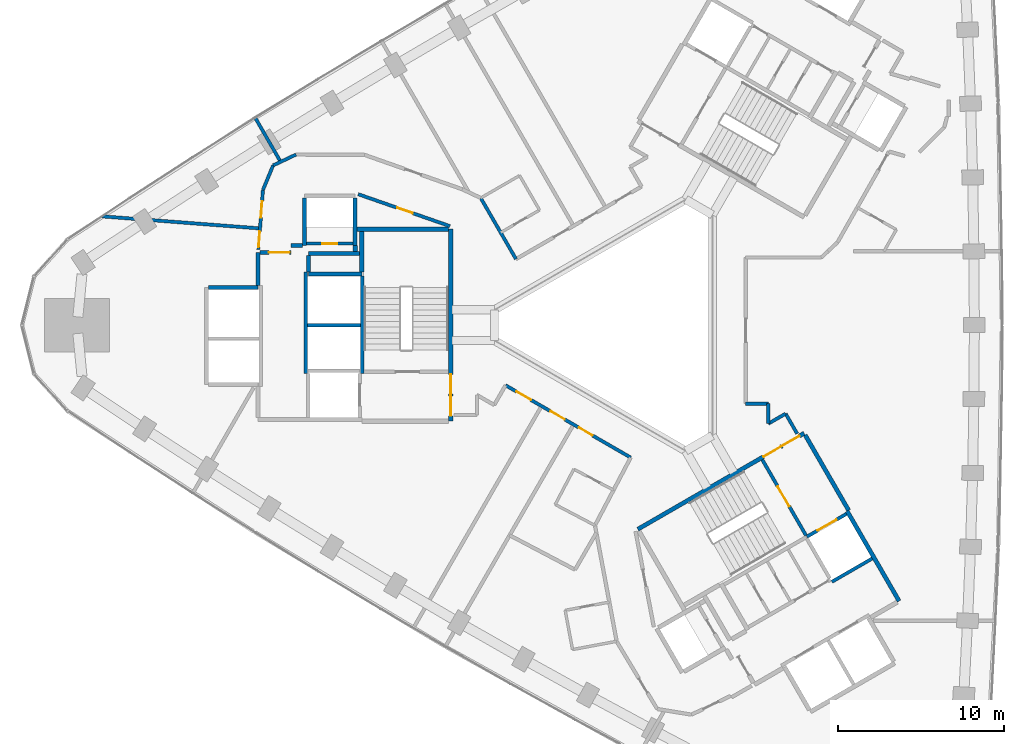
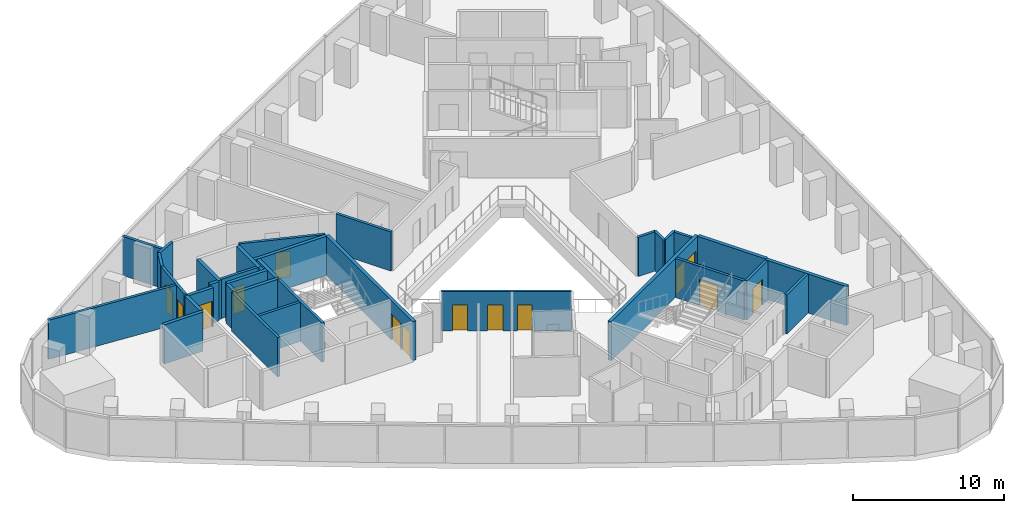
# One storey, part 9 of 12: 35 walls, 14 doors, 14 openings.
"""IFC4 building model written with IfcOpenShell, lengths in metres."""

from ifc_helpers import new_model, si_unit, direction, frame, frame_2d, origin, place, context, subcontext, project, spatial, rectangle, extrude, material, layer, layer_set, type_object, element, fill, save


model = new_model("IFC4")

# Units and contexts
model_context = context("Model", 3, precision=1e-05, world=origin(), true_north=direction((0.0, 1.0)))
body_context = subcontext(model_context, "Body", "Model", "MODEL_VIEW")
ifc_project = project(units=[si_unit("LENGTHUNIT", "METRE"), si_unit("AREAUNIT", "SQUARE_METRE"), si_unit("VOLUMEUNIT", "CUBIC_METRE"), si_unit("PLANEANGLEUNIT", "RADIAN"), si_unit("MASSUNIT", "GRAM", prefix="KILO")], contexts=[model_context])

# Site, building, storey
site_placement = place(None, origin())
site = spatial("IfcSite", under=ifc_project, at=site_placement, CompositionType="ELEMENT")
building_placement = place(site_placement, origin())
building = spatial("IfcBuilding", under=site, at=building_placement, Name="Tamra Quay Hotel Tower", CompositionType="ELEMENT")
storey_placement = place(building_placement, frame((0.0, 0.0, 83.0)))
storey = spatial("IfcBuildingStorey", under=building, at=storey_placement, Name="L19", CompositionType="ELEMENT", Elevation=83.0)

# Walls
ifc_material_1 = material(Name="Concrete M70", Category="concrete")
ifc_layer_1 = layer(ifc_material_1, 0.199951171875)
ifc_layer_set_1 = layer_set([ifc_layer_1], Name="Concrete M70 core wall 200")
wall_type_1 = type_object("IfcWallType", Name="Concrete M70 core wall 200", PredefinedType="SHEAR", material=ifc_layer_set_1)
wall_1_placement = place(storey_placement, frame((-16.162109375, 2.95068359375, 0.0), z_axis=(0.0, 0.0, 1.0), x_axis=(0.0, -1.0, 0.0)))
element("IfcWall", 1, at=wall_1_placement, inside=storey, type_object=wall_type_1, Name="CW2", PredefinedType="SHEAR", context=body_context, shape_type="SweptSolid", body=[
    extrude(rectangle(XDim=5.850830078125, YDim=0.199951171875, at=frame_2d((2.92529296875, 0.0))), origin(), (0.0, 0.0, 1.0), 3.175048828125),
])
wall_2_placement = place(storey_placement, frame((-19.5625, -2.900146484375, 0.0), z_axis=(0.0, 0.0, 1.0), x_axis=(0.0, 1.0, 0.0)))
element("IfcWall", 2, at=wall_2_placement, inside=storey, type_object=wall_type_1, Name="CW2", PredefinedType="SHEAR", context=body_context, shape_type="SweptSolid", body=[
    extrude(rectangle(XDim=6.100341796875, YDim=0.199951171875, at=frame_2d((3.05029296875, 0.0))), origin(), (0.0, 0.0, 1.0), 3.175048828125),
])
wall_3_placement = place(storey_placement, frame((-16.26318359375, 0.0, 0.0), z_axis=(0.0, 0.0, 1.0), x_axis=(-1.0, 0.0, 0.0)))
element("IfcWall", 3, at=wall_3_placement, inside=storey, type_object=wall_type_1, Name="CW2", PredefinedType="SHEAR", context=body_context, shape_type="SweptSolid", body=[
    extrude(rectangle(XDim=3.1982421875, YDim=0.199951171875, at=frame_2d((1.59912109375, 0.0))), origin(), (0.0, 0.0, 1.0), 3.175048828125),
])

# Wall, opening, door
wall_4_placement = place(storey_placement, frame((-19.51123046875, 4.91015625, 0.0), z_axis=(0.0, 0.0, 1.0), x_axis=(1.0, 0.0, 0.0)))
wall_4 = element("IfcWall", 4, at=wall_4_placement, inside=storey, type_object=wall_type_1, Name="CW2", PredefinedType="SHEAR", context=body_context, shape_type="SweptSolid", body=[
    extrude(rectangle(XDim=2.7978515625, YDim=0.199951171875, at=frame_2d((1.39892578125, 0.0))), origin(), (0.0, 0.0, 1.0), 3.175048828125),
])
opening_1_placement = place(wall_4_placement, frame((0.948974609375, 0.0, 0.0)))
opening_1 = element("IfcOpeningElement", 5, at=opening_1_placement, cuts=wall_4, Name="Opening D1", PredefinedType="OPENING", context=body_context, shape_type="SweptSolid", body=[
    extrude(rectangle(XDim=0.89990234375, YDim=2.10009765625, at=frame_2d((0.449951171875, 1.050048828125))), frame((0.0, 0.10986328125, 0.0), z_axis=(0.0, -1.0, 0.0), x_axis=(1.0, 0.0, 0.0)), (0.0, 0.0, 1.0), 0.219970703125),
])
ifc_material_2 = material(Name="Core door D1 900x2100 RH")
door_type_1 = type_object("IfcDoorType", Name="Core door D1 900x2100 RH", OperationType="NOTDEFINED", PredefinedType="DOOR", material=ifc_material_2)
door_1_placement = place(opening_1_placement, origin())
door_1 = element("IfcDoor", 6, at=door_1_placement, inside=storey, type_object=door_type_1, Name="D1", OperationType="SINGLE_SWING_RIGHT", OverallHeight=2.10009765625, OverallWidth=0.89990234375, PredefinedType="DOOR", context=body_context, shape_type="SweptSolid", body=[
    extrude(rectangle(XDim=0.89990234375, YDim=2.10009765625, at=frame_2d((0.449951171875, 1.050048828125))), frame((0.0, 0.02490234375, 0.0), z_axis=(0.0, -1.0, 0.0), x_axis=(1.0, 0.0, 0.0)), (0.0, 0.0, 1.0), 0.050048828125),
])
fill(opening_1, door_1)

wall_5_placement = place(storey_placement, frame((7.906494140625, -8.094482421875, 0.0), z_axis=(0.0, 0.0, 1.0), x_axis=(0.500024287448, -0.866011380966, 0.0)))
wall_5 = element("IfcWall", 7, at=wall_5_placement, inside=storey, type_object=wall_type_1, Name="CW2", PredefinedType="SHEAR", context=body_context, shape_type="SweptSolid", body=[
    extrude(rectangle(XDim=5.251220703125, YDim=0.199951171875, at=frame_2d((2.62548828125, 0.0))), origin(), (0.0, 0.0, 1.0), 3.175048828125),
])
opening_2_placement = place(wall_5_placement, frame((1.84912109375, 0.0, 0.0)))
opening_2 = element("IfcOpeningElement", 8, at=opening_2_placement, cuts=wall_5, Name="Opening FD2", PredefinedType="OPENING", context=body_context, shape_type="SweptSolid", body=[
    extrude(rectangle(XDim=1.39990234375, YDim=2.10009765625, at=frame_2d((0.699951171875, 1.050048828125))), frame((0.0, 0.10986328125, 0.0), z_axis=(0.0, -1.0, 0.0), x_axis=(1.0, 0.0, 0.0)), (0.0, 0.0, 1.0), 0.219970703125),
])
ifc_material_3 = material(Name="Core door FD2 1400x2100 RH")
door_type_2 = type_object("IfcDoorType", Name="Core door FD2 1400x2100 RH", OperationType="NOTDEFINED", PredefinedType="DOOR", material=ifc_material_3)
door_2_placement = place(opening_2_placement, origin())
door_2 = element("IfcDoor", 9, at=door_2_placement, inside=storey, type_object=door_type_2, Name="FD2", OperationType="SINGLE_SWING_RIGHT", OverallHeight=2.10009765625, OverallWidth=1.39990234375, PredefinedType="DOOR", context=body_context, shape_type="SweptSolid", body=[
    extrude(rectangle(XDim=1.39990234375, YDim=2.10009765625, at=frame_2d((0.699951171875, 1.050048828125))), frame((0.0, 0.02490234375, 0.0), z_axis=(0.0, -1.0, 0.0), x_axis=(1.0, 0.0, 0.0)), (0.0, 0.0, 1.0), 0.050048828125),
])
fill(opening_2, door_2)

wall_6_placement = place(storey_placement, frame((10.587158203125, -12.72314453125, 0.0), z_axis=(0.0, 0.0, 1.0), x_axis=(0.866037306777, 0.499979382845, 0.0)))
wall_6 = element("IfcWall", 10, at=wall_6_placement, inside=storey, type_object=wall_type_1, Name="CW2", PredefinedType="SHEAR", context=body_context, shape_type="SweptSolid", body=[
    extrude(rectangle(XDim=2.74169921875, YDim=0.199951171875, at=frame_2d((1.370849609375, 0.0))), origin(), (0.0, 0.0, 1.0), 3.175048828125),
])
opening_3_placement = place(wall_6_placement, frame((0.742919921875, 0.0, 0.0)))
opening_3 = element("IfcOpeningElement", 11, at=opening_3_placement, cuts=wall_6, Name="Opening LD", PredefinedType="OPENING", context=body_context, shape_type="SweptSolid", body=[
    extrude(rectangle(XDim=1.300048828125, YDim=2.10009765625, at=frame_2d((0.64990234375, 1.050048828125))), frame((0.0, 0.10986328125, 0.0), z_axis=(0.0, -1.0, 0.0), x_axis=(1.0, 0.0, 0.0)), (0.0, 0.0, 1.0), 0.219970703125),
])
ifc_material_4 = material(Name="Landing door LD 1300 sliding to right")
door_type_3 = type_object("IfcDoorType", Name="Landing door LD 1300 sliding to right", OperationType="NOTDEFINED", PredefinedType="DOOR", material=ifc_material_4)
door_3_placement = place(opening_3_placement, origin())
door_3 = element("IfcDoor", 12, at=door_3_placement, inside=storey, type_object=door_type_3, Name="LD", OperationType="SLIDING_TO_RIGHT", OverallHeight=2.10009765625, OverallWidth=1.300048828125, PredefinedType="DOOR", context=body_context, shape_type="SweptSolid", body=[
    extrude(rectangle(XDim=1.300048828125, YDim=2.10009765625, at=frame_2d((0.64990234375, 1.050048828125))), frame((0.0, 0.02490234375, 0.0), z_axis=(0.0, -1.0, 0.0), x_axis=(1.0, 0.0, 0.0)), (0.0, 0.0, 1.0), 0.050048828125),
])
fill(opening_3, door_3)

# Wall
wall_7_placement = place(storey_placement, frame((14.51171875, -14.037109375, 0.0), z_axis=(0.0, 0.0, 1.0), x_axis=(-0.866044696403, -0.499966582715, 0.0)))
element("IfcWall", 13, at=wall_7_placement, inside=storey, type_object=wall_type_1, Name="CW2", PredefinedType="SHEAR", context=body_context, shape_type="SweptSolid", body=[
    extrude(rectangle(XDim=2.799072265625, YDim=0.199951171875, at=frame_2d((1.3994140625, 0.0))), origin(), (0.0, 0.0, 1.0), 3.175048828125),
])

# Wall, openings, doors
ifc_layer_2 = layer(ifc_material_1, 0.25)
ifc_layer_set_2 = layer_set([ifc_layer_2], Name="Concrete M70 core wall 250")
wall_type_2 = type_object("IfcWallType", Name="Concrete M70 core wall 250", PredefinedType="SHEAR", material=ifc_layer_set_2)
wall_8_placement = place(storey_placement, frame((-10.83740234375, 5.77490234375, 0.0), z_axis=(0.0, 0.0, 1.0), x_axis=(0.0, -1.0, 0.0)))
wall_8 = element("IfcWall", 14, at=wall_8_placement, inside=storey, type_object=wall_type_2, Name="CW1", PredefinedType="SHEAR", context=body_context, shape_type="SweptSolid", body=[
    extrude(rectangle(XDim=11.5498046875, YDim=0.25, at=frame_2d((5.77490234375, 0.0))), origin(), (0.0, 0.0, 1.0), 3.175048828125),
])
opening_4_placement = place(wall_8_placement, frame((10.02490234375, 0.0, 0.0)))
opening_4 = element("IfcOpeningElement", 15, at=opening_4_placement, cuts=wall_8, Name="Opening FD1", PredefinedType="OPENING", context=body_context, shape_type="SweptSolid", body=[
    extrude(rectangle(XDim=1.199951171875, YDim=2.10009765625, at=frame_2d((0.60009765625, 1.050048828125))), frame((0.0, 0.135009765625, 0.0), z_axis=(0.0, -1.0, 0.0), x_axis=(1.0, 0.0, 0.0)), (0.0, 0.0, 1.0), 0.27001953125),
])
opening_5_placement = place(wall_8_placement, frame((8.72509765625, 0.0, 0.0)))
opening_5 = element("IfcOpeningElement", 16, at=opening_5_placement, cuts=wall_8, Name="Opening FD1", PredefinedType="OPENING", context=body_context, shape_type="SweptSolid", body=[
    extrude(rectangle(XDim=1.199951171875, YDim=2.10009765625, at=frame_2d((0.60009765625, 1.050048828125))), frame((0.0, 0.135009765625, 0.0), z_axis=(0.0, -1.0, 0.0), x_axis=(1.0, 0.0, 0.0)), (0.0, 0.0, 1.0), 0.27001953125),
])
ifc_material_5 = material(Name="Core door FD1 1200x2100 LH")
door_type_4 = type_object("IfcDoorType", Name="Core door FD1 1200x2100 LH", OperationType="NOTDEFINED", PredefinedType="DOOR", material=ifc_material_5)
door_4_placement = place(opening_4_placement, origin())
door_4 = element("IfcDoor", 17, at=door_4_placement, inside=storey, type_object=door_type_4, Name="FD1", OperationType="SINGLE_SWING_LEFT", OverallHeight=2.10009765625, OverallWidth=1.199951171875, PredefinedType="DOOR", context=body_context, shape_type="SweptSolid", body=[
    extrude(rectangle(XDim=1.199951171875, YDim=2.10009765625, at=frame_2d((0.60009765625, 1.050048828125))), frame((0.0, 0.02490234375, 0.0), z_axis=(0.0, -1.0, 0.0), x_axis=(1.0, 0.0, 0.0)), (0.0, 0.0, 1.0), 0.050048828125),
])
fill(opening_4, door_4)
ifc_material_6 = material(Name="Core door FD1 1200x2100 RH")
door_type_5 = type_object("IfcDoorType", Name="Core door FD1 1200x2100 RH", OperationType="NOTDEFINED", PredefinedType="DOOR", material=ifc_material_6)
door_5_placement = place(opening_5_placement, origin())
door_5 = element("IfcDoor", 18, at=door_5_placement, inside=storey, type_object=door_type_5, Name="FD1", OperationType="SINGLE_SWING_RIGHT", OverallHeight=2.10009765625, OverallWidth=1.199951171875, PredefinedType="DOOR", context=body_context, shape_type="SweptSolid", body=[
    extrude(rectangle(XDim=1.199951171875, YDim=2.10009765625, at=frame_2d((0.60009765625, 1.050048828125))), frame((0.0, 0.02490234375, 0.0), z_axis=(0.0, -1.0, 0.0), x_axis=(1.0, 0.0, 0.0)), (0.0, 0.0, 1.0), 0.050048828125),
])
fill(opening_5, door_5)

# Walls
wall_9_placement = place(storey_placement, frame((-16.47216796875, 5.77490234375, 0.0), z_axis=(0.0, 0.0, 1.0), x_axis=(1.0, 0.0, 0.0)))
element("IfcWall", 19, at=wall_9_placement, inside=storey, type_object=wall_type_2, Name="CW1", PredefinedType="SHEAR", context=body_context, shape_type="SweptSolid", body=[
    extrude(rectangle(XDim=5.509521484375, YDim=0.25, at=frame_2d((2.7548828125, 0.0))), origin(), (0.0, 0.0, 1.0), 3.175048828125),
])
wall_10_placement = place(storey_placement, frame((-19.38720703125, 3.074951171875, 0.0), z_axis=(0.0, 0.0, 1.0), x_axis=(1.0, 0.0, 0.0)))
element("IfcWall", 20, at=wall_10_placement, inside=storey, type_object=wall_type_2, Name="CW1", PredefinedType="SHEAR", context=body_context, shape_type="SweptSolid", body=[
    extrude(rectangle(XDim=3.199951171875, YDim=0.25, at=frame_2d((1.60009765625, 0.0))), origin(), (0.0, 0.0, 1.0), 3.175048828125),
])
wall_11_placement = place(storey_placement, frame((-25.411865234375, 2.27490234375, 0.0), z_axis=(0.0, 0.0, 1.0), x_axis=(1.0, 0.0, 0.0)))
element("IfcWall", 21, at=wall_11_placement, inside=storey, type_object=wall_type_2, Name="CW1", PredefinedType="SHEAR", context=body_context, shape_type="SweptSolid", body=[
    extrude(rectangle(XDim=2.974609375, YDim=0.25, at=frame_2d((1.4873046875, 0.0))), origin(), (0.0, 0.0, 1.0), 3.175048828125),
])
for number, where, z_axis, x_axis, name in (
    (22, (-16.58740234375, 7.649658203125, 0.0), (0.0, 0.0, 1.0), (0.0, -1.0, 0.0), "CW1"),
    (23, (-19.63720703125, 4.784912109375, 0.0), (0.0, 0.0, 1.0), (0.0, 1.0, 0.0), "CW1"),
):
    element("IfcWall", number, at=place(storey_placement, frame(where, z_axis=z_axis, x_axis=x_axis)), inside=storey, type_object=wall_type_2, Name=name, PredefinedType="SHEAR", context=body_context, shape_type="SweptSolid", body=[
        extrude(rectangle(XDim=2.86474609375, YDim=0.25, at=frame_2d((1.432373046875, 0.0))), origin(), (0.0, 0.0, 1.0), 3.175048828125),
    ])
wall_12_placement = place(storey_placement, frame((-16.30224609375, 4.31494140625, 0.0), z_axis=(0.0, 0.0, 1.0), x_axis=(-1.0, 0.0, 0.0)))
element("IfcWall", 24, at=wall_12_placement, inside=storey, type_object=wall_type_2, Name="CW1", PredefinedType="SHEAR", context=body_context, shape_type="SweptSolid", body=[
    extrude(rectangle(XDim=3.0849609375, YDim=0.25, at=frame_2d((1.54248046875, 0.0))), origin(), (0.0, 0.0, 1.0), 3.175048828125),
])
wall_13_placement = place(storey_placement, frame((-16.187255859375, 3.200439453125, 0.0), z_axis=(0.0, 0.0, 1.0), x_axis=(0.0, 1.0, 0.0)))
element("IfcWall", 25, at=wall_13_placement, inside=storey, type_object=wall_type_2, Name="CW1", PredefinedType="SHEAR", context=body_context, shape_type="SweptSolid", body=[
    extrude(rectangle(XDim=2.44921875, YDim=0.25, at=frame_2d((1.224609375, 0.0))), origin(), (0.0, 0.0, 1.0), 3.175048828125),
])
wall_14_placement = place(storey_placement, frame((-22.437255859375, 2.400390625, 0.0), z_axis=(0.0, 0.0, 1.0), x_axis=(0.0, 1.0, 0.0)))
element("IfcWall", 26, at=wall_14_placement, inside=storey, type_object=wall_type_2, Name="CW1", PredefinedType="SHEAR", context=body_context, shape_type="SweptSolid", body=[
    extrude(rectangle(XDim=1.974609375, YDim=0.25, at=frame_2d((0.9873046875, 0.0))), origin(), (0.0, 0.0, 1.0), 3.175048828125),
])

# Wall, opening, door
wall_15_placement = place(storey_placement, frame((-22.311767578125, 4.375, 0.0), z_axis=(0.0, 0.0, 1.0), x_axis=(1.0, 0.0, 0.0)))
wall_15 = element("IfcWall", 27, at=wall_15_placement, inside=storey, type_object=wall_type_2, Name="CW1", PredefinedType="SHEAR", context=body_context, shape_type="SweptSolid", body=[
    extrude(rectangle(XDim=1.864501953125, YDim=0.25, at=frame_2d((0.93212890625, 0.0))), origin(), (0.0, 0.0, 1.0), 3.175048828125),
])
opening_6_placement = place(wall_15_placement, frame((0.53466796875, 0.0, 0.0)))
opening_6 = element("IfcOpeningElement", 28, at=opening_6_placement, cuts=wall_15, Name="Opening FD3", PredefinedType="OPENING", context=body_context, shape_type="SweptSolid", body=[
    extrude(rectangle(XDim=1.25, YDim=2.10009765625, at=frame_2d((0.625, 1.050048828125))), frame((0.0, 0.135009765625, 0.0), z_axis=(0.0, -1.0, 0.0), x_axis=(1.0, 0.0, 0.0)), (0.0, 0.0, 1.0), 0.27001953125),
])
ifc_material_7 = material(Name="Core door FD3 1250x2100 LH")
door_type_6 = type_object("IfcDoorType", Name="Core door FD3 1250x2100 LH", OperationType="NOTDEFINED", PredefinedType="DOOR", material=ifc_material_7)
door_6_placement = place(opening_6_placement, origin())
door_6 = element("IfcDoor", 29, at=door_6_placement, inside=storey, type_object=door_type_6, Name="FD3", OperationType="SINGLE_SWING_LEFT", OverallHeight=2.10009765625, OverallWidth=1.25, PredefinedType="DOOR", context=body_context, shape_type="SweptSolid", body=[
    extrude(rectangle(XDim=1.25, YDim=2.10009765625, at=frame_2d((0.625, 1.050048828125))), frame((0.0, 0.02490234375, 0.0), z_axis=(0.0, -1.0, 0.0), x_axis=(1.0, 0.0, 0.0)), (0.0, 0.0, 1.0), 0.050048828125),
])
fill(opening_6, door_6)

# Walls
wall_16_placement = place(storey_placement, frame((-19.38720703125, 4.189697265625, 0.0), z_axis=(0.0, 0.0, 1.0), x_axis=(0.0, -1.0, 0.0)))
element("IfcWall", 30, at=wall_16_placement, inside=storey, type_object=wall_type_2, Name="CW1", PredefinedType="SHEAR", context=body_context, shape_type="SweptSolid", body=[
    extrude(rectangle(XDim=0.9892578125, YDim=0.25, at=frame_2d((0.49462890625, 0.0))), origin(), (0.0, 0.0, 1.0), 3.175048828125),
])
wall_17_placement = place(storey_placement, frame((-20.447265625, 4.784912109375, 0.0), z_axis=(0.0, 0.0, 1.0), x_axis=(1.0, 0.0, 0.0)))
element("IfcWall", 31, at=wall_17_placement, inside=storey, type_object=wall_type_2, Name="CW1", PredefinedType="SHEAR", context=body_context, shape_type="SweptSolid", body=[
    extrude(rectangle(XDim=0.6845703125, YDim=0.25, at=frame_2d((0.34228515625, 0.0))), origin(), (0.0, 0.0, 1.0), 3.175048828125),
])
wall_18_placement = place(storey_placement, frame((-16.577392578125, 4.784912109375, 0.0), z_axis=(0.0, 0.0, 1.0), x_axis=(0.0, -1.0, 0.0)))
element("IfcWall", 32, at=wall_18_placement, inside=storey, type_object=wall_type_2, Name="CW1", PredefinedType="SHEAR", context=body_context, shape_type="SweptSolid", body=[
    extrude(rectangle(XDim=0.344482421875, YDim=0.25, at=frame_2d((0.17236328125, 0.0))), origin(), (0.0, 0.0, 1.0), 3.175048828125),
])

# Wall, openings, doors
wall_19_placement = place(storey_placement, frame((0.417236328125, -12.27294921875, 0.0), z_axis=(0.0, 0.0, 1.0), x_axis=(0.866021906294, 0.500006057782, 0.0)))
wall_19 = element("IfcWall", 33, at=wall_19_placement, inside=storey, type_object=wall_type_2, Name="CW1", PredefinedType="SHEAR", context=body_context, shape_type="SweptSolid", body=[
    extrude(rectangle(XDim=11.550048828125, YDim=0.25, at=frame_2d((5.77490234375, 0.0))), origin(), (0.0, 0.0, 1.0), 3.175048828125),
])
opening_7_placement = place(wall_19_placement, frame((10.024658203125, 0.0, 0.0)))
opening_7 = element("IfcOpeningElement", 34, at=opening_7_placement, cuts=wall_19, Name="Opening FD1", PredefinedType="OPENING", context=body_context, shape_type="SweptSolid", body=[
    extrude(rectangle(XDim=1.199951171875, YDim=2.10009765625, at=frame_2d((0.60009765625, 1.050048828125))), frame((0.0, 0.135009765625, 0.0), z_axis=(0.0, -1.0, 0.0), x_axis=(1.0, 0.0, 0.0)), (0.0, 0.0, 1.0), 0.27001953125),
])
opening_8_placement = place(wall_19_placement, frame((8.724609375, 0.0, 0.0)))
opening_8 = element("IfcOpeningElement", 35, at=opening_8_placement, cuts=wall_19, Name="Opening FD1", PredefinedType="OPENING", context=body_context, shape_type="SweptSolid", body=[
    extrude(rectangle(XDim=1.199951171875, YDim=2.10009765625, at=frame_2d((0.60009765625, 1.050048828125))), frame((0.0, 0.135009765625, 0.0), z_axis=(0.0, -1.0, 0.0), x_axis=(1.0, 0.0, 0.0)), (0.0, 0.0, 1.0), 0.27001953125),
])
door_7_placement = place(opening_7_placement, origin())
door_7 = element("IfcDoor", 36, at=door_7_placement, inside=storey, type_object=door_type_4, Name="FD1", OperationType="SINGLE_SWING_LEFT", OverallHeight=2.10009765625, OverallWidth=1.199951171875, PredefinedType="DOOR", context=body_context, shape_type="SweptSolid", body=[
    extrude(rectangle(XDim=1.199951171875, YDim=2.10009765625, at=frame_2d((0.60009765625, 1.050048828125))), frame((0.0, 0.02490234375, 0.0), z_axis=(0.0, -1.0, 0.0), x_axis=(1.0, 0.0, 0.0)), (0.0, 0.0, 1.0), 0.050048828125),
])
fill(opening_7, door_7)
door_8_placement = place(opening_8_placement, origin())
door_8 = element("IfcDoor", 37, at=door_8_placement, inside=storey, type_object=door_type_5, Name="FD1", OperationType="SINGLE_SWING_RIGHT", OverallHeight=2.10009765625, OverallWidth=1.199951171875, PredefinedType="DOOR", context=body_context, shape_type="SweptSolid", body=[
    extrude(rectangle(XDim=1.199951171875, YDim=2.10009765625, at=frame_2d((0.60009765625, 1.050048828125))), frame((0.0, 0.02490234375, 0.0), z_axis=(0.0, -1.0, 0.0), x_axis=(1.0, 0.0, 0.0)), (0.0, 0.0, 1.0), 0.050048828125),
])
fill(opening_8, door_8)

# Walls
wall_20_placement = place(storey_placement, frame((13.00830078125, -11.18115234375, 0.0), z_axis=(0.0, 0.0, 1.0), x_axis=(0.500004234368, -0.866022959057, 0.0)))
element("IfcWall", 38, at=wall_20_placement, inside=storey, type_object=wall_type_2, Name="CW1", PredefinedType="SHEAR", context=body_context, shape_type="SweptSolid", body=[
    extrude(rectangle(XDim=6.25, YDim=0.25, at=frame_2d((3.125, 0.0))), origin(), (0.0, 0.0, 1.0), 3.175048828125),
])
wall_21_placement = place(storey_placement, frame((10.482666015625, -6.6064453125, 0.0), z_axis=(0.0, 0.0, 1.0), x_axis=(0.49999885962, -0.866026062182, 0.0)))
element("IfcWall", 39, at=wall_21_placement, inside=storey, type_object=wall_type_2, Name="CW1", PredefinedType="SHEAR", context=body_context, shape_type="SweptSolid", body=[
    extrude(rectangle(XDim=5.224609375, YDim=0.25, at=frame_2d((2.6123046875, 0.0))), origin(), (0.0, 0.0, 1.0), 3.175048828125),
])

# Wall, openings, doors
ifc_material_8 = material(Name="Partition corridor wall")
ifc_layer_3 = layer(ifc_material_8, 0.199951171875)
ifc_layer_set_3 = layer_set([ifc_layer_3], Name="Partition corridor wall")
wall_type_3 = type_object("IfcWallType", Name="Partition corridor wall", PredefinedType="PARTITIONING", material=ifc_layer_set_3)
wall_22_placement = place(storey_placement, frame((-22.407470703125, 4.56005859375, 0.0), z_axis=(0.0, 0.0, 1.0), x_axis=(0.076237605041, 0.997089678804, 0.0)))
wall_22 = element("IfcWall", 40, at=wall_22_placement, inside=storey, type_object=wall_type_3, Name="W-C", PredefinedType="PARTITIONING", context=body_context, shape_type="SweptSolid", body=[
    extrude(rectangle(XDim=3.580322265625, YDim=0.199951171875, at=frame_2d((1.7900390625, 0.0))), origin(), (0.0, 0.0, 1.0), 3.175048828125),
])
opening_9_placement = place(wall_22_placement, frame((0.139892578125, 0.0, 0.0)))
opening_9 = element("IfcOpeningElement", 41, at=opening_9_placement, cuts=wall_22, Name="Opening L19-D010", PredefinedType="OPENING", context=body_context, shape_type="SweptSolid", body=[
    extrude(rectangle(XDim=0.93994140625, YDim=2.10009765625, at=frame_2d((0.469970703125, 1.050048828125))), frame((0.0, 0.10986328125, 0.0), z_axis=(0.0, -1.0, 0.0), x_axis=(1.0, 0.0, 0.0)), (0.0, 0.0, 1.0), 0.219970703125),
])
opening_10_placement = place(wall_22_placement, frame((1.9169921875, 0.0, 0.0)))
opening_10 = element("IfcOpeningElement", 42, at=opening_10_placement, cuts=wall_22, Name="Opening L19-D011", PredefinedType="OPENING", context=body_context, shape_type="SweptSolid", body=[
    extrude(rectangle(XDim=1.0, YDim=2.10009765625, at=frame_2d((0.5, 1.050048828125))), frame((0.0, 0.10986328125, 0.0), z_axis=(0.0, -1.0, 0.0), x_axis=(1.0, 0.0, 0.0)), (0.0, 0.0, 1.0), 0.219970703125),
])
ifc_material_9 = material(Name="Door guest room 1000x2100")
door_type_7 = type_object("IfcDoorType", Name="Door guest room 1000x2100", OperationType="NOTDEFINED", PredefinedType="DOOR", material=ifc_material_9)
door_9_placement = place(opening_10_placement, origin())
door_9 = element("IfcDoor", 43, at=door_9_placement, inside=storey, type_object=door_type_7, Name="L19-D011", OperationType="SINGLE_SWING_LEFT", OverallHeight=2.10009765625, OverallWidth=1.0, PredefinedType="DOOR", context=body_context, shape_type="SweptSolid", body=[
    extrude(rectangle(XDim=1.0, YDim=2.10009765625, at=frame_2d((0.5, 1.050048828125))), frame((0.0, 0.02490234375, 0.0), z_axis=(0.0, -1.0, 0.0), x_axis=(1.0, 0.0, 0.0)), (0.0, 0.0, 1.0), 0.050048828125),
])
fill(opening_10, door_9)
ifc_material_10 = material(Name="Door guest room 940x2100")
door_type_8 = type_object("IfcDoorType", Name="Door guest room 940x2100", OperationType="NOTDEFINED", PredefinedType="DOOR", material=ifc_material_10)
door_10_placement = place(opening_9_placement, origin())
door_10 = element("IfcDoor", 44, at=door_10_placement, inside=storey, type_object=door_type_8, Name="L19-D010", OperationType="SINGLE_SWING_LEFT", OverallHeight=2.10009765625, OverallWidth=0.93994140625, PredefinedType="DOOR", context=body_context, shape_type="SweptSolid", body=[
    extrude(rectangle(XDim=0.93994140625, YDim=2.10009765625, at=frame_2d((0.469970703125, 1.050048828125))), frame((0.0, 0.02490234375, 0.0), z_axis=(0.0, -1.0, 0.0), x_axis=(1.0, 0.0, 0.0)), (0.0, 0.0, 1.0), 0.050048828125),
])
fill(opening_9, door_10)

# Walls
wall_23_placement = place(storey_placement, frame((-22.135009765625, 8.134033203125, 0.0), z_axis=(0.0, 0.0, 1.0), x_axis=(0.383208453534, 0.923661886807, 0.0)))
element("IfcWall", 45, at=wall_23_placement, inside=storey, type_object=wall_type_3, Name="W-C", PredefinedType="PARTITIONING", context=body_context, shape_type="SweptSolid", body=[
    extrude(rectangle(XDim=1.602294921875, YDim=0.199951171875, at=frame_2d((0.80126953125, 0.0))), origin(), (0.0, 0.0, 1.0), 3.175048828125),
])
wall_24_placement = place(storey_placement, frame((-21.521240234375, 9.614501953125, 0.0), z_axis=(0.0, 0.0, 1.0), x_axis=(0.904236611454, 0.427031790979, 0.0)))
element("IfcWall", 46, at=wall_24_placement, inside=storey, type_object=wall_type_3, Name="W-C", PredefinedType="PARTITIONING", context=body_context, shape_type="SweptSolid", body=[
    extrude(rectangle(XDim=1.52294921875, YDim=0.199951171875, at=frame_2d((0.761474609375, 0.0))), origin(), (0.0, 0.0, 1.0), 3.175048828125),
])

# Wall, opening, door
wall_25_placement = place(storey_placement, frame((-16.40234375, 7.879150390625, 0.0), z_axis=(0.0, 0.0, 1.0), x_axis=(0.94449961557, -0.328512520596, 0.0)))
wall_25 = element("IfcWall", 47, at=wall_25_placement, inside=storey, type_object=wall_type_3, Name="W-C", PredefinedType="PARTITIONING", context=body_context, shape_type="SweptSolid", body=[
    extrude(rectangle(XDim=5.842041015625, YDim=0.199951171875, at=frame_2d((2.9208984375, 0.0))), origin(), (0.0, 0.0, 1.0), 3.175048828125),
])
opening_11_placement = place(wall_25_placement, frame((2.47900390625, 0.0, 0.0)))
opening_11 = element("IfcOpeningElement", 48, at=opening_11_placement, cuts=wall_25, Name="Opening L19-D008", PredefinedType="OPENING", context=body_context, shape_type="SweptSolid", body=[
    extrude(rectangle(XDim=1.0, YDim=2.10009765625, at=frame_2d((0.5, 1.050048828125))), frame((0.0, 0.10986328125, 0.0), z_axis=(0.0, -1.0, 0.0), x_axis=(1.0, 0.0, 0.0)), (0.0, 0.0, 1.0), 0.219970703125),
])
door_11_placement = place(opening_11_placement, frame((1.0, 0.0, 0.0), z_axis=(0.0, 0.0, 1.0), x_axis=(-1.0, 0.0, 0.0)))
door_11 = element("IfcDoor", 49, at=door_11_placement, inside=storey, type_object=door_type_7, Name="L19-D008", OperationType="SINGLE_SWING_LEFT", OverallHeight=2.10009765625, OverallWidth=1.0, PredefinedType="DOOR", context=body_context, shape_type="SweptSolid", body=[
    extrude(rectangle(XDim=1.0, YDim=2.10009765625, at=frame_2d((0.5, 1.050048828125))), frame((0.0, 0.02490234375, 0.0), z_axis=(0.0, -1.0, 0.0), x_axis=(1.0, 0.0, 0.0)), (0.0, 0.0, 1.0), 0.050048828125),
])
fill(opening_11, door_11)

# Wall
wall_26_placement = place(storey_placement, frame((-9.033203125, 7.65185546875, 0.0), z_axis=(0.0, 0.0, 1.0), x_axis=(0.500117520489, -0.865957542666, 0.0)))
element("IfcWall", 50, at=wall_26_placement, inside=storey, type_object=wall_type_3, Name="W-C", PredefinedType="PARTITIONING", context=body_context, shape_type="SweptSolid", body=[
    extrude(rectangle(XDim=4.24365234375, YDim=0.199951171875, at=frame_2d((2.121826171875, 0.0))), origin(), (0.0, 0.0, 1.0), 3.175048828125),
])

# Wall, openings, doors
wall_27_placement = place(storey_placement, frame((-7.5390625, -3.614990234375, 0.0), z_axis=(0.0, 0.0, 1.0), x_axis=(0.866057854762, -0.499943789046, 0.0)))
wall_27 = element("IfcWall", 51, at=wall_27_placement, inside=storey, type_object=wall_type_3, Name="W-C", PredefinedType="PARTITIONING", context=body_context, shape_type="SweptSolid", body=[
    extrude(rectangle(XDim=8.68896484375, YDim=0.199951171875, at=frame_2d((4.344482421875, 0.0))), origin(), (0.0, 0.0, 1.0), 3.175048828125),
])
opening_12_placement = place(wall_27_placement, frame((0.755126953125, 0.0, 0.0)))
opening_12 = element("IfcOpeningElement", 52, at=opening_12_placement, cuts=wall_27, Name="Opening L19-D012", PredefinedType="OPENING", context=body_context, shape_type="SweptSolid", body=[
    extrude(rectangle(XDim=1.0, YDim=2.10009765625, at=frame_2d((0.5, 1.050048828125))), frame((0.0, 0.10986328125, 0.0), z_axis=(0.0, -1.0, 0.0), x_axis=(1.0, 0.0, 0.0)), (0.0, 0.0, 1.0), 0.219970703125),
])
opening_13_placement = place(wall_27_placement, frame((3.110107421875, 0.0, 0.0)))
opening_13 = element("IfcOpeningElement", 53, at=opening_13_placement, cuts=wall_27, Name="Opening L19-D013", PredefinedType="OPENING", context=body_context, shape_type="SweptSolid", body=[
    extrude(rectangle(XDim=1.0, YDim=2.10009765625, at=frame_2d((0.5, 1.050048828125))), frame((0.0, 0.10986328125, 0.0), z_axis=(0.0, -1.0, 0.0), x_axis=(1.0, 0.0, 0.0)), (0.0, 0.0, 1.0), 0.219970703125),
])
opening_14_placement = place(wall_27_placement, frame((5.0888671875, 0.0, 0.0)))
opening_14 = element("IfcOpeningElement", 54, at=opening_14_placement, cuts=wall_27, Name="Opening L19-D014", PredefinedType="OPENING", context=body_context, shape_type="SweptSolid", body=[
    extrude(rectangle(XDim=0.949951171875, YDim=2.10009765625, at=frame_2d((0.47509765625, 1.050048828125))), frame((0.0, 0.10986328125, 0.0), z_axis=(0.0, -1.0, 0.0), x_axis=(1.0, 0.0, 0.0)), (0.0, 0.0, 1.0), 0.219970703125),
])
door_12_placement = place(opening_12_placement, frame((1.0, 0.0, 0.0), z_axis=(0.0, 0.0, 1.0), x_axis=(-1.0, 0.0, 0.0)))
door_12 = element("IfcDoor", 55, at=door_12_placement, inside=storey, type_object=door_type_7, Name="L19-D012", OperationType="SINGLE_SWING_LEFT", OverallHeight=2.10009765625, OverallWidth=1.0, PredefinedType="DOOR", context=body_context, shape_type="SweptSolid", body=[
    extrude(rectangle(XDim=1.0, YDim=2.10009765625, at=frame_2d((0.5, 1.050048828125))), frame((0.0, 0.02490234375, 0.0), z_axis=(0.0, -1.0, 0.0), x_axis=(1.0, 0.0, 0.0)), (0.0, 0.0, 1.0), 0.050048828125),
])
fill(opening_12, door_12)
door_13_placement = place(opening_13_placement, frame((1.0, 0.0, 0.0), z_axis=(0.0, 0.0, 1.0), x_axis=(-1.0, 0.0, 0.0)))
door_13 = element("IfcDoor", 56, at=door_13_placement, inside=storey, type_object=door_type_7, Name="L19-D013", OperationType="SINGLE_SWING_LEFT", OverallHeight=2.10009765625, OverallWidth=1.0, PredefinedType="DOOR", context=body_context, shape_type="SweptSolid", body=[
    extrude(rectangle(XDim=1.0, YDim=2.10009765625, at=frame_2d((0.5, 1.050048828125))), frame((0.0, 0.02490234375, 0.0), z_axis=(0.0, -1.0, 0.0), x_axis=(1.0, 0.0, 0.0)), (0.0, 0.0, 1.0), 0.050048828125),
])
fill(opening_13, door_13)
ifc_material_11 = material(Name="Door guest room 950x2100")
door_type_9 = type_object("IfcDoorType", Name="Door guest room 950x2100", OperationType="NOTDEFINED", PredefinedType="DOOR", material=ifc_material_11)
door_14_placement = place(opening_14_placement, frame((0.949951171875, 0.0, 0.0), z_axis=(0.0, 0.0, 1.0), x_axis=(-1.0, 0.0, 0.0)))
door_14 = element("IfcDoor", 57, at=door_14_placement, inside=storey, type_object=door_type_9, Name="L19-D014", OperationType="SINGLE_SWING_LEFT", OverallHeight=2.10009765625, OverallWidth=0.949951171875, PredefinedType="DOOR", context=body_context, shape_type="SweptSolid", body=[
    extrude(rectangle(XDim=0.949951171875, YDim=2.10009765625, at=frame_2d((0.47509765625, 1.050048828125))), frame((0.0, 0.02490234375, 0.0), z_axis=(0.0, -1.0, 0.0), x_axis=(1.0, 0.0, 0.0)), (0.0, 0.0, 1.0), 0.050048828125),
])
fill(opening_14, door_14)

# Walls
wall_28_placement = place(storey_placement, frame((6.89990234375, -4.720947265625, 0.0), z_axis=(0.0, 0.0, 1.0), x_axis=(1.0, 0.0, 0.0)))
element("IfcWall", 58, at=wall_28_placement, inside=storey, type_object=wall_type_3, Name="W-C", PredefinedType="PARTITIONING", context=body_context, shape_type="SweptSolid", body=[
    extrude(rectangle(XDim=1.3681640625, YDim=0.199951171875, at=frame_2d((0.68408203125, 0.0))), origin(), (0.0, 0.0, 1.0), 3.175048828125),
])
wall_29_placement = place(storey_placement, frame((8.26806640625, -5.9208984375, 0.0), z_axis=(0.0, 0.0, 1.0), x_axis=(0.0, 1.0, 0.0)))
element("IfcWall", 59, at=wall_29_placement, inside=storey, type_object=wall_type_3, Name="W-C", PredefinedType="PARTITIONING", context=body_context, shape_type="SweptSolid", body=[
    extrude(rectangle(XDim=1.199951171875, YDim=0.199951171875, at=frame_2d((0.60009765625, 0.0))), origin(), (0.0, 0.0, 1.0), 3.175048828125),
])
wall_30_placement = place(storey_placement, frame((8.26806640625, -5.9208984375, 0.0), z_axis=(0.0, 0.0, 1.0), x_axis=(0.866344856625, 0.499446282797, 0.0)))
element("IfcWall", 60, at=wall_30_placement, inside=storey, type_object=wall_type_3, Name="W-C", PredefinedType="PARTITIONING", context=body_context, shape_type="SweptSolid", body=[
    extrude(rectangle(XDim=1.198974609375, YDim=0.199951171875, at=frame_2d((0.599609375, 0.0))), origin(), (0.0, 0.0, 1.0), 3.175048828125),
])
wall_31_placement = place(storey_placement, frame((9.306884765625, -5.322021484375, 0.0), z_axis=(0.0, 0.0, 1.0), x_axis=(0.500295157811, -0.865854927266, 0.0)))
element("IfcWall", 61, at=wall_31_placement, inside=storey, type_object=wall_type_3, Name="W-C", PredefinedType="PARTITIONING", context=body_context, shape_type="SweptSolid", body=[
    extrude(rectangle(XDim=1.389892578125, YDim=0.199951171875, at=frame_2d((0.69482421875, 0.0))), origin(), (0.0, 0.0, 1.0), 3.175048828125),
])
ifc_material_12 = material(Name="Partition party wall")
ifc_layer_4 = layer(ifc_material_12, 0.199951171875)
ifc_layer_set_4 = layer_set([ifc_layer_4], Name="Partition party wall")
wall_type_4 = type_object("IfcWallType", Name="Partition party wall", PredefinedType="PARTITIONING", material=ifc_layer_set_4)
wall_32_placement = place(storey_placement, frame((-31.80126953125, 6.54638671875, 0.0), z_axis=(0.0, 0.0, 1.0), x_axis=(0.997099133392, -0.076113850179, 0.0)))
element("IfcWall", 62, at=wall_32_placement, inside=storey, type_object=wall_type_4, Name="W-P", PredefinedType="PARTITIONING", context=body_context, shape_type="SweptSolid", body=[
    extrude(rectangle(XDim=9.516845703125, YDim=0.199951171875, at=frame_2d((4.75830078125, 0.0))), origin(), (0.0, 0.0, 1.0), 3.175048828125),
])
wall_33_placement = place(storey_placement, frame((-22.595703125, 12.473388671875, 0.0), z_axis=(0.0, 0.0, 1.0), x_axis=(0.499743222914, -0.866173603357, 0.0)))
element("IfcWall", 63, at=wall_33_placement, inside=storey, type_object=wall_type_4, Name="W-P", PredefinedType="PARTITIONING", context=body_context, shape_type="SweptSolid", body=[
    extrude(rectangle(XDim=3.052734375, YDim=0.199951171875, at=frame_2d((1.5263671875, 0.0))), origin(), (0.0, 0.0, 1.0), 3.175048828125),
])

save(model, "model.ifc")
